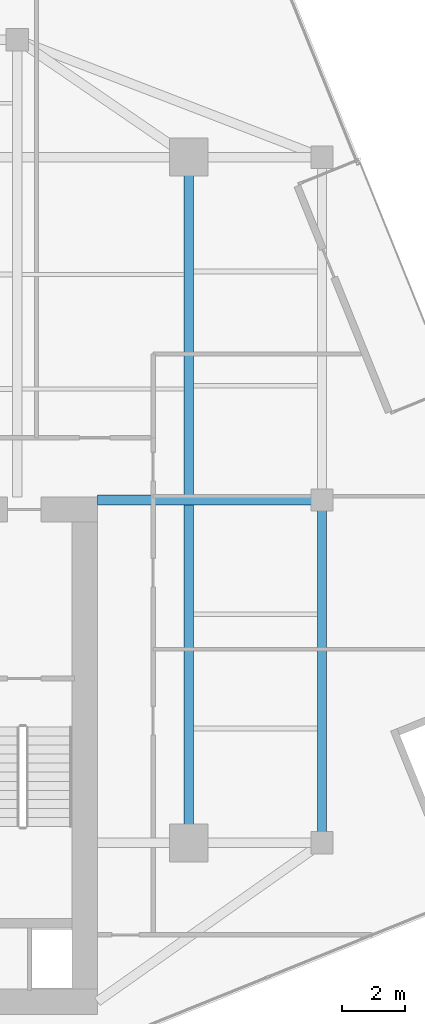
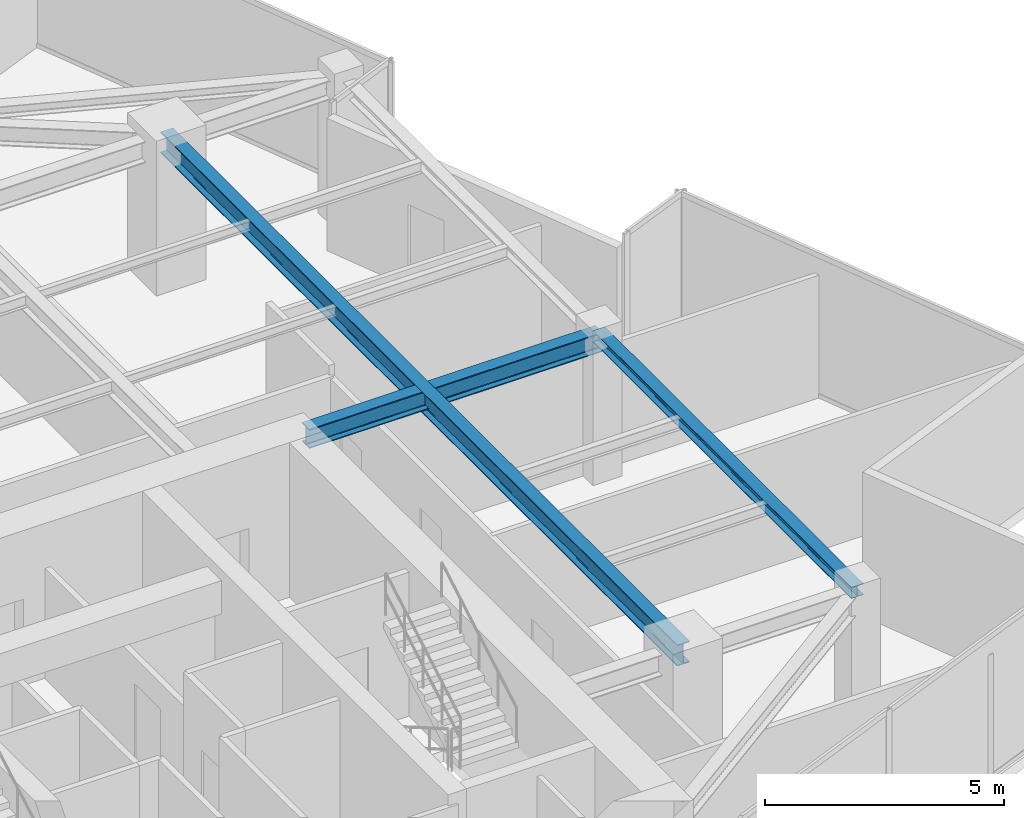
# One storey, part 10 of 21: 3 beams.
"""IFC4 building model written with IfcOpenShell, lengths in metres."""

from ifc_helpers import new_model, si_unit, direction, frame, origin, origin_2d, place, context, subcontext, project, spatial, i_section, extrude, source, transform, mapped, material, material_profile, profile_set, type_object, type_shapes, element, save


model = new_model("IFC4")

# Units and contexts
model_context = context("Model", 3, precision=1e-05, world=origin(), true_north=direction((0.0, 1.0)))
body_context = subcontext(model_context, "Body", "Model", "MODEL_VIEW")
ifc_project = project(units=[si_unit("LENGTHUNIT", "METRE"), si_unit("AREAUNIT", "SQUARE_METRE"), si_unit("VOLUMEUNIT", "CUBIC_METRE"), si_unit("PLANEANGLEUNIT", "RADIAN"), si_unit("MASSUNIT", "GRAM", prefix="KILO")], contexts=[model_context])

# Site, building, storey
site_placement = place(None, origin())
site = spatial("IfcSite", under=ifc_project, at=site_placement, CompositionType="ELEMENT")
building_placement = place(site_placement, origin())
building = spatial("IfcBuilding", under=site, at=building_placement, Name="Krantzveldt Concourse Tower", CompositionType="ELEMENT")
storey_placement = place(building_placement, frame((0.0, 0.0, 327.699951171875)))
storey = spatial("IfcBuildingStorey", under=building, at=storey_placement, Name="L80", CompositionType="ELEMENT", Elevation=327.699951171875)

# Beams
ifc_material = material(Name="Steel S355JR", Category="steel")
ifc_material_profile_1 = material_profile(ifc_material, i_section(OverallWidth=0.300048828125, OverallDepth=0.489990234375, WebThickness=0.011962890625, FlangeThickness=0.02294921875, FilletRadius=0.027099609375, at=origin_2d()), Name="Steel S355JR", Category="steel")
ifc_profile_set_1 = profile_set([ifc_material_profile_1], Name="Steel S355JR - HEA 500")
beam_type_1 = type_object("IfcBeamType", Name="BM-B-HEA500", PredefinedType="BEAM", material=ifc_profile_set_1)
shared_shape_1 = source(origin(), body_context, "Body", "SweptSolid", [
    extrude(i_section(OverallWidth=0.300048828125, OverallDepth=0.489990234375, WebThickness=0.011962890625, FlangeThickness=0.02294921875, FilletRadius=0.027099609375, at=origin_2d()), origin(), (0.0, 0.0, 1.0), 7.080078125),
])
type_shapes(beam_type_1, [shared_shape_1])
beam_1_placement = place(storey_placement, frame((43.919921875, 26.699951171875, 3.425048828125), z_axis=(1.0, 0.0, 0.0), x_axis=(0.0, 1.0, 0.0)))
element("IfcBeam", 1, at=beam_1_placement, inside=storey, type_object=beam_type_1, Name="L80 Tower Girder BG-CE2", PredefinedType="BEAM", context=body_context, shape_type="MappedRepresentation", body=[
    mapped(shared_shape_1, transform((0.0, 0.0, 0.0), x_axis=(1.0, 0.0, 0.0), y_axis=(0.0, 1.0, 0.0), z_axis=(0.0, 0.0, 1.0), scale=1.0)),
])
ifc_material_profile_2 = material_profile(ifc_material, i_section(OverallWidth=0.300048828125, OverallDepth=0.5400390625, WebThickness=0.012451171875, FlangeThickness=0.02392578125, FilletRadius=0.027099609375, at=origin_2d()), Name="Steel S355JR", Category="steel")
ifc_profile_set_2 = profile_set([ifc_material_profile_2], Name="Steel S355JR - HEA 550")
beam_type_2 = type_object("IfcBeamType", Name="BM-B-HEA550", PredefinedType="BEAM", material=ifc_profile_set_2)
shared_shape_2 = source(origin(), body_context, "Body", "SweptSolid", [
    extrude(i_section(OverallWidth=0.300048828125, OverallDepth=0.5400390625, WebThickness=0.012451171875, FlangeThickness=0.02392578125, FilletRadius=0.027099609375, at=origin_2d()), origin(), (0.0, 0.0, 1.0), 21.60009765625),
])
type_shapes(beam_type_2, [shared_shape_2])
beam_2_placement = place(storey_placement, frame((46.800048828125, 15.89990234375, 3.400146484375), z_axis=(0.0, 1.0, 0.0), x_axis=(-1.0, 0.0, 0.0)))
element("IfcBeam", 2, at=beam_2_placement, inside=storey, type_object=beam_type_2, Name="L80 Tower Girder BG-ME", PredefinedType="BEAM", context=body_context, shape_type="MappedRepresentation", body=[
    mapped(shared_shape_2, transform((0.0, 0.0, 0.0), x_axis=(1.0, 0.0, 0.0), y_axis=(0.0, 1.0, 0.0), z_axis=(0.0, 0.0, 1.0), scale=1.0)),
])
ifc_material_profile_3 = material_profile(ifc_material, i_section(OverallWidth=0.2900390625, OverallDepth=0.2900390625, WebThickness=0.008544921875, FlangeThickness=0.013916015625, FilletRadius=0.027099609375, at=origin_2d()), Name="Steel S355JR", Category="steel")
ifc_profile_set_3 = profile_set([ifc_material_profile_3], Name="Steel S355JR - HEA 300")
beam_type_3 = type_object("IfcBeamType", Name="BM-SP-HEA300", PredefinedType="SPANDREL", material=ifc_profile_set_3)
shared_shape_3 = source(origin(), body_context, "Body", "SweptSolid", [
    extrude(i_section(OverallWidth=0.2900390625, OverallDepth=0.2900390625, WebThickness=0.008544921875, FlangeThickness=0.013916015625, FilletRadius=0.027099609375, at=origin_2d()), origin(), (0.0, 0.0, 1.0), 10.800048828125),
])
type_shapes(beam_type_3, [shared_shape_3])
beam_3_placement = place(storey_placement, frame((51.0, 26.699951171875, 3.525146484375), z_axis=(0.0, -1.0, 0.0), x_axis=(1.0, 0.0, 0.0)))
element("IfcBeam", 3, at=beam_3_placement, inside=storey, type_object=beam_type_3, Name="L80 Tower Girder SP-R07", PredefinedType="SPANDREL", context=body_context, shape_type="MappedRepresentation", body=[
    mapped(shared_shape_3, transform((0.0, 0.0, 0.0), x_axis=(1.0, 0.0, 0.0), y_axis=(0.0, 1.0, 0.0), z_axis=(0.0, 0.0, 1.0), scale=1.0)),
])

save(model, "model.ifc")
